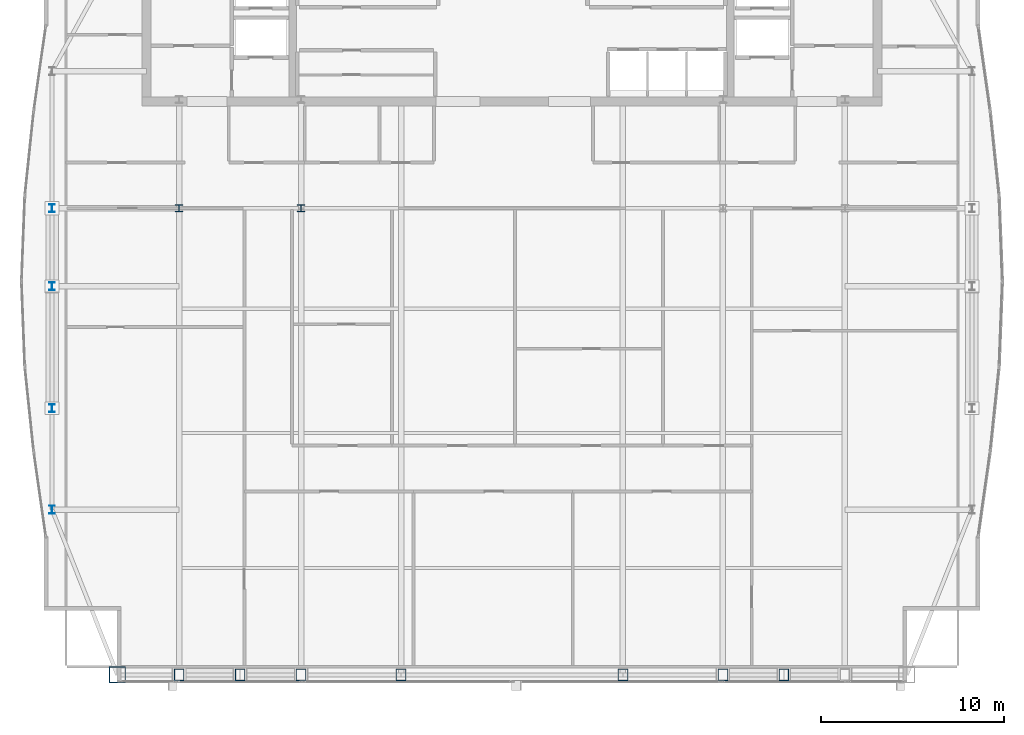
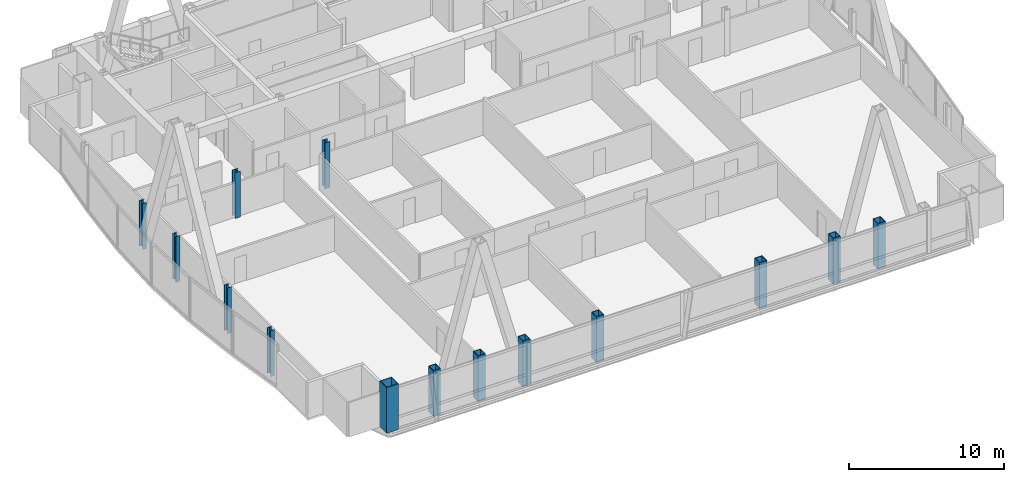
# One storey, part 1 of 29: 14 columns.
"""IFC4 building model written with IfcOpenShell, lengths in metres."""

from ifc_helpers import new_model, si_unit, direction, frame, origin, origin_2d, place, context, subcontext, project, spatial, hollow_rectangle, i_section, extrude, material, material_profile, profile_set, type_object, element, save


model = new_model("IFC4")

# Units and contexts
model_context = context("Model", 3, precision=1e-05, world=origin(), true_north=direction((0.0, 1.0)))
body_context = subcontext(model_context, "Body", "Model", "MODEL_VIEW")
ifc_project = project(units=[si_unit("LENGTHUNIT", "METRE"), si_unit("AREAUNIT", "SQUARE_METRE"), si_unit("VOLUMEUNIT", "CUBIC_METRE"), si_unit("PLANEANGLEUNIT", "RADIAN"), si_unit("MASSUNIT", "GRAM", prefix="KILO")], contexts=[model_context])

# Site, building, storey
site_placement = place(None, origin())
site = spatial("IfcSite", under=ifc_project, at=site_placement, CompositionType="ELEMENT")
building_placement = place(site_placement, origin())
building = spatial("IfcBuilding", under=site, at=building_placement, Name="Khoronbel Lancet Exchange", CompositionType="ELEMENT")
storey_placement = place(building_placement, frame((0.0, 0.0, 302.199951171875)))
storey = spatial("IfcBuildingStorey", under=building, at=storey_placement, Name="L78", CompositionType="ELEMENT", Elevation=302.199951171875)

# Columns
ifc_material_1 = material(Name="Steel S460", Category="steel")
ifc_material_profile_1 = material_profile(ifc_material_1, hollow_rectangle(XDim=0.550048828125, YDim=0.64990234375, WallThickness=0.0400390625, at=origin_2d()), Name="BOX 650x550x40")
ifc_profile_set_1 = profile_set([ifc_material_profile_1], Name="Steel S460")
column_type_1 = type_object("IfcColumnType", Name="COL-EC4", PredefinedType="COLUMN", material=ifc_profile_set_1)
for number, where, z_axis, x_axis, name in (
    (1, (18.22509765625, 10.14990234375, 0.0), (0.0, 0.0, 1.0), (1.0, 0.0, 0.0), "Structural column SC-W1 L78"),
    (2, (21.5625, 10.14990234375, 0.0), (0.0, 0.0, 1.0), (1.0, 0.0, 0.0), "Structural column SC-WM L78"),
    (3, (24.89990234375, 10.14990234375, 0.0), (0.0, 0.0, 1.0), (1.0, 0.0, 0.0), "Structural column SC-W2 L78"),
    (4, (30.375, 10.14990234375, 0.0), (0.0, 0.0, 1.0), (1.0, 0.0, 0.0), "Structural column SC-C1 L78"),
    (5, (42.52490234375, 10.14990234375, 0.0), (0.0, 0.0, 1.0), (1.0, 0.0, 0.0), "Structural column SC-C2 L78"),
    (6, (48.0, 10.14990234375, 0.0), (0.0, 0.0, 1.0), (1.0, 0.0, 0.0), "Structural column SC-E1 L78"),
    (7, (51.33740234375, 10.14990234375, 0.0), (0.0, 0.0, 1.0), (1.0, 0.0, 0.0), "Structural column SC-EM L78"),
):
    element("IfcColumn", number, at=place(storey_placement, frame(where, z_axis=z_axis, x_axis=x_axis)), inside=storey, type_object=column_type_1, Name=name, PredefinedType="COLUMN", context=body_context, shape_type="SweptSolid", body=[
        extrude(hollow_rectangle(XDim=0.550048828125, YDim=0.64990234375, WallThickness=0.0400390625, at=origin_2d()), origin(), (0.0, 0.0, 1.0), 3.60009765625),
    ])
ifc_material_2 = material(Name="Steel S355", Category="steel")
ifc_material_profile_2 = material_profile(ifc_material_2, i_section(OverallWidth=0.39892578125, OverallDepth=0.39306640625, WebThickness=0.022705078125, FlangeThickness=0.03662109375, at=origin_2d()), Name="HD 400x287")
ifc_profile_set_2 = profile_set([ifc_material_profile_2], Name="Steel S355")
column_type_2 = type_object("IfcColumnType", Name="COL-IC4", PredefinedType="COLUMN", material=ifc_profile_set_2)
for number, where, z_axis, x_axis, name in (
    (8, (18.22509765625, 35.699951171875, 0.0), (0.0, 0.0, 1.0), (1.0, 0.0, 0.0), "Spine gravity column TC1 L78"),
    (9, (24.89990234375, 35.699951171875, 0.0), (0.0, 0.0, 1.0), (1.0, 0.0, 0.0), "Spine gravity column TC2 L78"),
):
    element("IfcColumn", number, at=place(storey_placement, frame(where, z_axis=z_axis, x_axis=x_axis)), inside=storey, type_object=column_type_2, Name=name, PredefinedType="COLUMN", context=body_context, shape_type="SweptSolid", body=[
        extrude(i_section(OverallWidth=0.39892578125, OverallDepth=0.39306640625, WebThickness=0.022705078125, FlangeThickness=0.03662109375, at=origin_2d()), origin(), (0.0, 0.0, 1.0), 3.60009765625),
    ])
ifc_material_profile_3 = material_profile(ifc_material_2, i_section(OverallWidth=0.300048828125, OverallDepth=0.449951171875, WebThickness=0.013916015625, FlangeThickness=0.02587890625, at=origin_2d()), Name="HEB 450")
ifc_profile_set_3 = profile_set([ifc_material_profile_3], Name="Steel S355")
column_type_3 = type_object("IfcColumnType", Name="COL-LC2", PredefinedType="COLUMN", material=ifc_profile_set_3)
for number, where, z_axis, x_axis, name in (
    (10, (11.27001953125, 19.199951171875, 0.0), (0.0, 0.0, 1.0), (1.0, 0.0, 0.0), "Structural column WC-1 L78"),
    (11, (11.27001953125, 24.75, 0.0), (0.0, 0.0, 1.0), (1.0, 0.0, 0.0), "Structural column WC-2 L78"),
    (12, (11.27001953125, 31.425048828125, 0.0), (0.0, 0.0, 1.0), (1.0, 0.0, 0.0), "Structural column WC-M L78"),
    (13, (11.27001953125, 35.699951171875, 0.0), (0.0, 0.0, 1.0), (1.0, 0.0, 0.0), "Structural column WC-3 L78"),
):
    element("IfcColumn", number, at=place(storey_placement, frame(where, z_axis=z_axis, x_axis=x_axis)), inside=storey, type_object=column_type_3, Name=name, PredefinedType="COLUMN", context=body_context, shape_type="SweptSolid", body=[
        extrude(i_section(OverallWidth=0.300048828125, OverallDepth=0.449951171875, WebThickness=0.013916015625, FlangeThickness=0.02587890625, at=origin_2d()), origin(), (0.0, 0.0, 1.0), 3.60009765625),
    ])
ifc_material_profile_4 = material_profile(ifc_material_1, hollow_rectangle(XDim=0.89990234375, YDim=0.89990234375, WallThickness=0.050048828125, at=origin_2d()), Name="BOX 900x900x50")
ifc_profile_set_4 = profile_set([ifc_material_profile_4], Name="Steel S460")
column_type_4 = type_object("IfcColumnType", Name="COL-MC7", PredefinedType="COLUMN", material=ifc_profile_set_4)
column_placement = place(storey_placement, frame((14.85009765625, 10.14990234375, 0.0), z_axis=(0.0, 0.0, 1.0), x_axis=(1.0, 0.0, 0.0)))
element("IfcColumn", 14, at=column_placement, inside=storey, type_object=column_type_4, Name="Structural column MC-SW L78", PredefinedType="COLUMN", context=body_context, shape_type="SweptSolid", body=[
    extrude(hollow_rectangle(XDim=0.89990234375, YDim=0.89990234375, WallThickness=0.050048828125, at=origin_2d()), origin(), (0.0, 0.0, 1.0), 3.60009765625),
])

save(model, "model.ifc")
